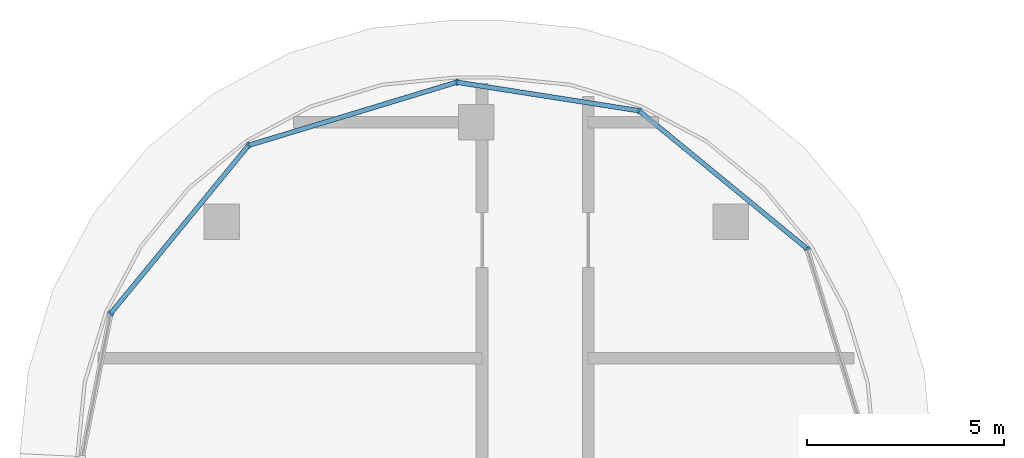
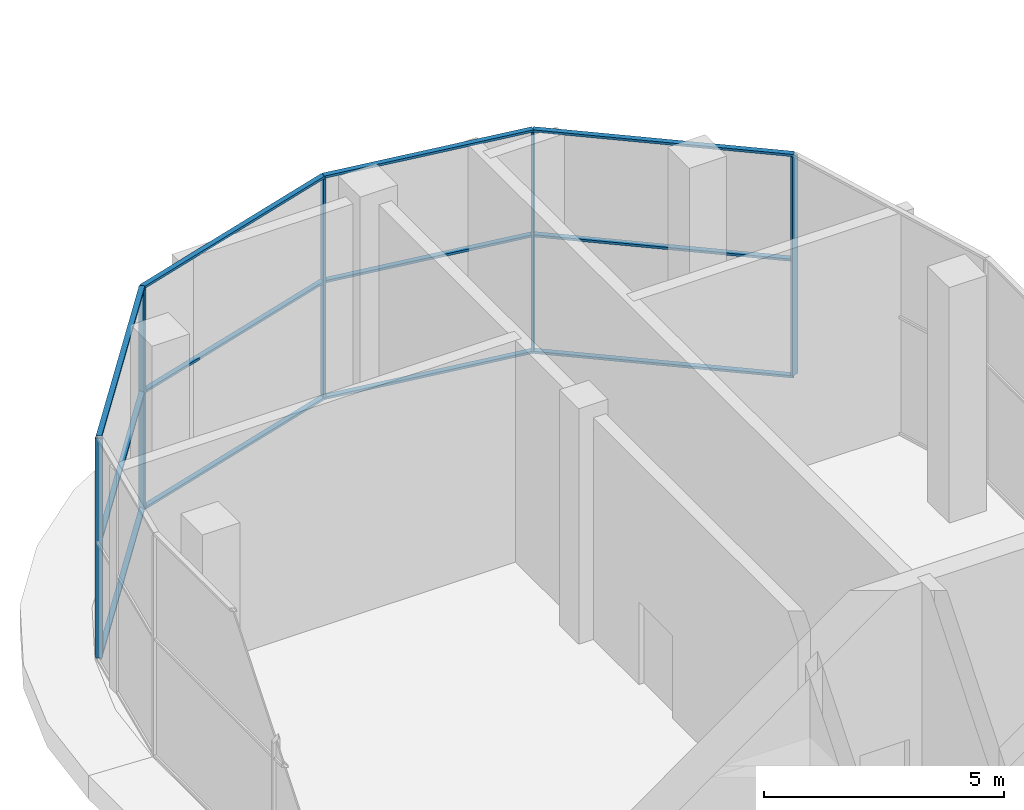
# One storey, part 10 of 23: 17 members, 1 element without a shape of its own.
"""IFC4 building model written with IfcOpenShell, lengths in metres."""

from ifc_helpers import new_model, si_unit, direction, frame, origin, origin_2d, place, context, subcontext, project, spatial, rectangle, extrude, material, material_profile, profile_set, type_object, element, aggregate, save


model = new_model("IFC4")

# Units and contexts
model_context = context("Model", 3, precision=1e-05, world=origin(), true_north=direction((0.0, 1.0)))
body_context = subcontext(model_context, "Body", "Model", "MODEL_VIEW")
ifc_project = project(units=[si_unit("LENGTHUNIT", "METRE"), si_unit("AREAUNIT", "SQUARE_METRE"), si_unit("VOLUMEUNIT", "CUBIC_METRE"), si_unit("PLANEANGLEUNIT", "RADIAN"), si_unit("MASSUNIT", "GRAM", prefix="KILO")], contexts=[model_context])

# Site, building, storey
site_placement = place(None, origin())
site = spatial("IfcSite", under=ifc_project, at=site_placement, CompositionType="ELEMENT")
building_placement = place(site_placement, origin())
building = spatial("IfcBuilding", under=site, at=building_placement, Name="Ogive Portal Towers", CompositionType="ELEMENT")
storey_placement = place(building_placement, frame((0.0, 0.0, 260.89990234375)))
storey = spatial("IfcBuildingStorey", under=building, at=storey_placement, Name="L64", CompositionType="ELEMENT", Elevation=260.89990234375)

# Curtain wall, members
ifc_material_1 = material(Name="Glass, clear low-iron insulated glazing", Category="glass")
curtain_wall_type = type_object("IfcCurtainWallType", Name="CW OBSERVATION WALL", PredefinedType="NOTDEFINED", material=ifc_material_1)
curtain_wall_placement = place(storey_placement, origin())
curtain_wall = element("IfcCurtainWall", 1, at=curtain_wall_placement, inside=storey, type_object=curtain_wall_type, Name="A:L64:f17:cwa", PredefinedType="NOTDEFINED")
ifc_material_2 = material(Name="Aluminium 6063 anodised", Category="aluminium")
ifc_material_profile_1 = material_profile(ifc_material_2, rectangle(XDim=0.159912109375, YDim=0.06005859375, at=origin_2d()), Name="AL 60x160")
ifc_profile_set_1 = profile_set([ifc_material_profile_1], Name="Aluminium 6063 anodised")
member_type_1 = type_object("IfcMemberType", Name="CW MULLION 60x160", PredefinedType="MULLION", material=ifc_profile_set_1)
member_1_placement = place(storey_placement, frame((48.91259765625, 54.287109375, 0.06005859375), z_axis=(0.0, 0.0, 1.0), x_axis=(-0.956940335732, -0.290284677254, 0.0)))
member_1 = element("IfcMember", 2, at=member_1_placement, type_object=member_type_1, Name="mullion", PredefinedType="MULLION", context=body_context, shape_type="SweptSolid", body=[
    extrude(rectangle(XDim=0.159912109375, YDim=0.06005859375, at=origin_2d()), origin(), (0.0, 0.0, 1.0), 5.580078125),
])
member_2_placement = place(storey_placement, frame((44.639892578125, 57.79345703125, 0.06005859375), z_axis=(0.0, 0.0, 1.0), x_axis=(-0.634393284164, -0.773010453363, 0.0)))
member_2 = element("IfcMember", 3, at=member_2_placement, type_object=member_type_1, Name="mullion", PredefinedType="MULLION", context=body_context, shape_type="SweptSolid", body=[
    extrude(rectangle(XDim=0.159912109375, YDim=0.06005859375, at=origin_2d()), origin(), (0.0, 0.0, 1.0), 5.580078125),
])
member_3_placement = place(storey_placement, frame((40.005615234375, 58.51806640625, 0.06005859375), z_axis=(0.0, 0.0, 1.0), x_axis=(-0.154476205908, -0.987996509006, 0.0)))
member_3 = element("IfcMember", 4, at=member_3_placement, type_object=member_type_1, Name="mullion", PredefinedType="MULLION", context=body_context, shape_type="SweptSolid", body=[
    extrude(rectangle(XDim=0.159912109375, YDim=0.06005859375, at=origin_2d()), origin(), (0.0, 0.0, 1.0), 5.580078125),
])
member_4_placement = place(storey_placement, frame((34.712890625, 56.91259765625, 0.06005859375), z_axis=(0.0, 0.0, 1.0), x_axis=(0.290284677254, -0.956940335732, 0.0)))
member_4 = element("IfcMember", 5, at=member_4_placement, type_object=member_type_1, Name="mullion", PredefinedType="MULLION", context=body_context, shape_type="SweptSolid", body=[
    extrude(rectangle(XDim=0.159912109375, YDim=0.06005859375, at=origin_2d()), origin(), (0.0, 0.0, 1.0), 5.580078125),
])
member_5_placement = place(storey_placement, frame((31.205322265625, 52.638427734375, 0.06005859375), z_axis=(0.0, 0.0, 1.0), x_axis=(0.773010453363, -0.634393284164, 0.0)))
member_5 = element("IfcMember", 6, at=member_5_placement, type_object=member_type_1, Name="mullion", PredefinedType="MULLION", context=body_context, shape_type="SweptSolid", body=[
    extrude(rectangle(XDim=0.159912109375, YDim=0.06005859375, at=origin_2d()), origin(), (0.0, 0.0, 1.0), 5.580078125),
])
ifc_material_profile_2 = material_profile(ifc_material_2, rectangle(XDim=0.1201171875, YDim=0.06005859375, at=origin_2d()), Name="AL 120x60")
ifc_profile_set_2 = profile_set([ifc_material_profile_2], Name="Aluminium 6063 anodised")
member_type_2 = type_object("IfcMemberType", Name="CW TRANSOM 60x120", PredefinedType="USERDEFINED", material=ifc_profile_set_2)
member_6_placement = place(storey_placement, frame((48.91259765625, 54.287109375, 0.030029296875), z_axis=(-0.773025605284, 0.634374821044, 0.0), x_axis=(-0.634374821044, -0.773025605284, 0.0)))
member_6 = element("IfcMember", 7, at=member_6_placement, type_object=member_type_2, Name="transom", ObjectType="TRANSOM", PredefinedType="USERDEFINED", context=body_context, shape_type="SweptSolid", body=[
    extrude(rectangle(XDim=0.1201171875, YDim=0.06005859375, at=origin_2d()), origin(), (0.0, 0.0, 1.0), 5.52734375),
])
member_7_placement = place(storey_placement, frame((48.91259765625, 54.287109375, 3.0), z_axis=(-0.773025605284, 0.634374821044, 0.0), x_axis=(-0.634374821044, -0.773025605284, 0.0)))
member_7 = element("IfcMember", 8, at=member_7_placement, type_object=member_type_2, Name="transom", ObjectType="TRANSOM", PredefinedType="USERDEFINED", context=body_context, shape_type="SweptSolid", body=[
    extrude(rectangle(XDim=0.1201171875, YDim=0.06005859375, at=origin_2d()), origin(), (0.0, 0.0, 1.0), 5.52734375),
])
member_8_placement = place(storey_placement, frame((48.91259765625, 54.287109375, 5.670166015625), z_axis=(-0.773025605284, 0.634374821044, 0.0), x_axis=(-0.634374821044, -0.773025605284, 0.0)))
member_8 = element("IfcMember", 9, at=member_8_placement, type_object=member_type_2, Name="transom", ObjectType="TRANSOM", PredefinedType="USERDEFINED", context=body_context, shape_type="SweptSolid", body=[
    extrude(rectangle(XDim=0.1201171875, YDim=0.06005859375, at=origin_2d()), origin(), (0.0, 0.0, 1.0), 5.52734375),
])
member_9_placement = place(storey_placement, frame((44.639892578125, 57.79345703125, 0.030029296875), z_axis=(-0.987995654317, 0.154481672216, 0.0), x_axis=(-0.154481672216, -0.987995654317, 0.0)))
member_9 = element("IfcMember", 10, at=member_9_placement, type_object=member_type_2, Name="transom", ObjectType="TRANSOM", PredefinedType="USERDEFINED", context=body_context, shape_type="SweptSolid", body=[
    extrude(rectangle(XDim=0.1201171875, YDim=0.06005859375, at=origin_2d()), origin(), (0.0, 0.0, 1.0), 4.690673828125),
])
member_10_placement = place(storey_placement, frame((44.639892578125, 57.79345703125, 3.0), z_axis=(-0.987995654317, 0.154481672216, 0.0), x_axis=(-0.154481672216, -0.987995654317, 0.0)))
member_10 = element("IfcMember", 11, at=member_10_placement, type_object=member_type_2, Name="transom", ObjectType="TRANSOM", PredefinedType="USERDEFINED", context=body_context, shape_type="SweptSolid", body=[
    extrude(rectangle(XDim=0.1201171875, YDim=0.06005859375, at=origin_2d()), origin(), (0.0, 0.0, 1.0), 4.690673828125),
])
member_11_placement = place(storey_placement, frame((44.639892578125, 57.79345703125, 5.670166015625), z_axis=(-0.987995654317, 0.154481672216, 0.0), x_axis=(-0.154481672216, -0.987995654317, 0.0)))
member_11 = element("IfcMember", 12, at=member_11_placement, type_object=member_type_2, Name="transom", ObjectType="TRANSOM", PredefinedType="USERDEFINED", context=body_context, shape_type="SweptSolid", body=[
    extrude(rectangle(XDim=0.1201171875, YDim=0.06005859375, at=origin_2d()), origin(), (0.0, 0.0, 1.0), 4.690673828125),
])
member_12_placement = place(storey_placement, frame((40.005615234375, 58.51806640625, 0.030029296875), z_axis=(-0.956943434908, -0.290274460444, 0.0), x_axis=(0.290274460444, -0.956943434908, 0.0)))
member_12 = element("IfcMember", 13, at=member_12_placement, type_object=member_type_2, Name="transom", ObjectType="TRANSOM", PredefinedType="USERDEFINED", context=body_context, shape_type="SweptSolid", body=[
    extrude(rectangle(XDim=0.1201171875, YDim=0.06005859375, at=origin_2d()), origin(), (0.0, 0.0, 1.0), 5.53076171875),
])
member_13_placement = place(storey_placement, frame((40.005615234375, 58.51806640625, 3.0), z_axis=(-0.956943434908, -0.290274460444, 0.0), x_axis=(0.290274460444, -0.956943434908, 0.0)))
member_13 = element("IfcMember", 14, at=member_13_placement, type_object=member_type_2, Name="transom", ObjectType="TRANSOM", PredefinedType="USERDEFINED", context=body_context, shape_type="SweptSolid", body=[
    extrude(rectangle(XDim=0.1201171875, YDim=0.06005859375, at=origin_2d()), origin(), (0.0, 0.0, 1.0), 5.53076171875),
])
member_14_placement = place(storey_placement, frame((40.005615234375, 58.51806640625, 5.670166015625), z_axis=(-0.956943434908, -0.290274460444, 0.0), x_axis=(0.290274460444, -0.956943434908, 0.0)))
member_14 = element("IfcMember", 15, at=member_14_placement, type_object=member_type_2, Name="transom", ObjectType="TRANSOM", PredefinedType="USERDEFINED", context=body_context, shape_type="SweptSolid", body=[
    extrude(rectangle(XDim=0.1201171875, YDim=0.06005859375, at=origin_2d()), origin(), (0.0, 0.0, 1.0), 5.53076171875),
])
member_15_placement = place(storey_placement, frame((34.712890625, 56.91259765625, 0.030029296875), z_axis=(-0.634376830765, -0.773023956025, 0.0), x_axis=(0.773023956025, -0.634376830765, 0.0)))
member_15 = element("IfcMember", 16, at=member_15_placement, type_object=member_type_2, Name="transom", ObjectType="TRANSOM", PredefinedType="USERDEFINED", context=body_context, shape_type="SweptSolid", body=[
    extrude(rectangle(XDim=0.1201171875, YDim=0.06005859375, at=origin_2d()), origin(), (0.0, 0.0, 1.0), 5.529052734375),
])
member_16_placement = place(storey_placement, frame((34.712890625, 56.91259765625, 3.0), z_axis=(-0.634376830765, -0.773023956025, 0.0), x_axis=(0.773023956025, -0.634376830765, 0.0)))
member_16 = element("IfcMember", 17, at=member_16_placement, type_object=member_type_2, Name="transom", ObjectType="TRANSOM", PredefinedType="USERDEFINED", context=body_context, shape_type="SweptSolid", body=[
    extrude(rectangle(XDim=0.1201171875, YDim=0.06005859375, at=origin_2d()), origin(), (0.0, 0.0, 1.0), 5.529052734375),
])
member_17_placement = place(storey_placement, frame((34.712890625, 56.91259765625, 5.670166015625), z_axis=(-0.634376830765, -0.773023956025, 0.0), x_axis=(0.773023956025, -0.634376830765, 0.0)))
member_17 = element("IfcMember", 18, at=member_17_placement, type_object=member_type_2, Name="transom", ObjectType="TRANSOM", PredefinedType="USERDEFINED", context=body_context, shape_type="SweptSolid", body=[
    extrude(rectangle(XDim=0.1201171875, YDim=0.06005859375, at=origin_2d()), origin(), (0.0, 0.0, 1.0), 5.529052734375),
])
aggregate(curtain_wall, [member_6, member_7, member_8, member_9, member_10, member_11, member_12, member_13, member_14, member_15, member_16, member_17, member_1, member_2, member_3, member_4, member_5])

save(model, "model.ifc")
